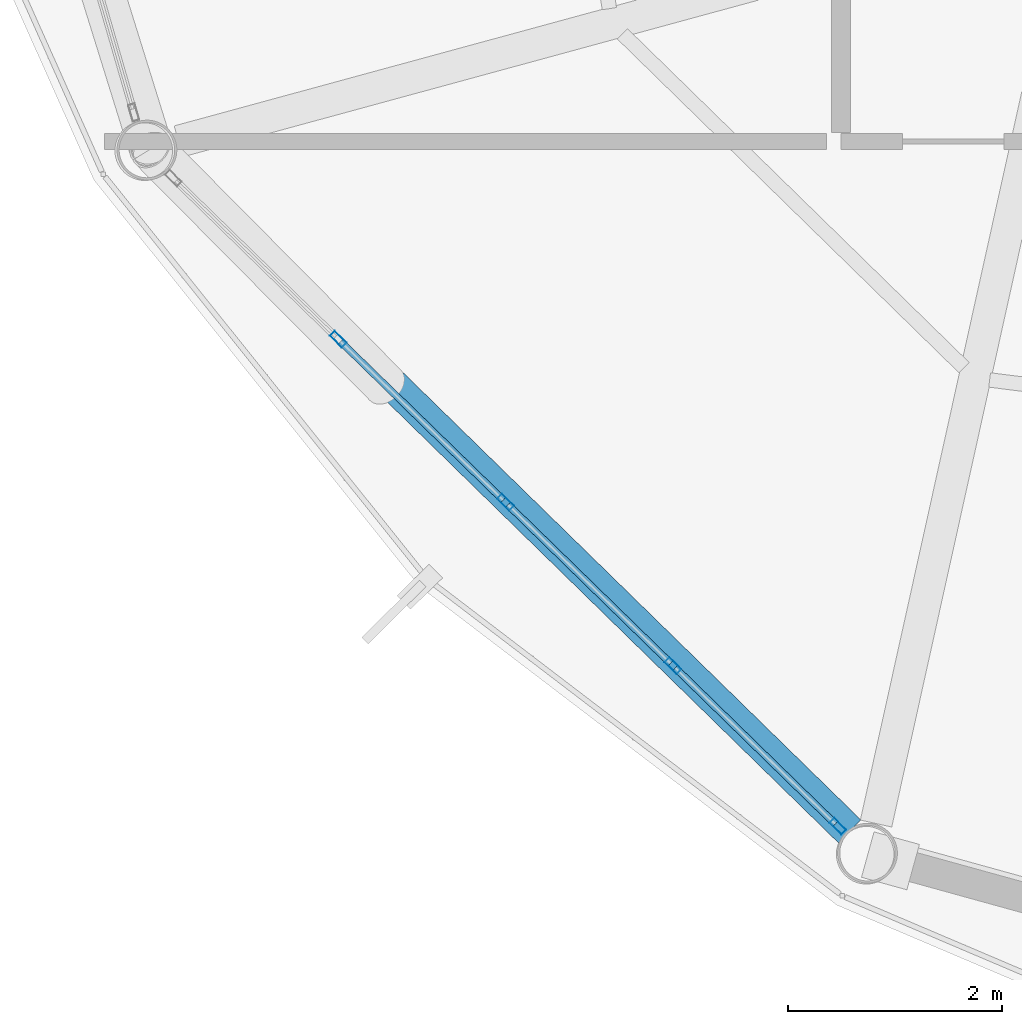
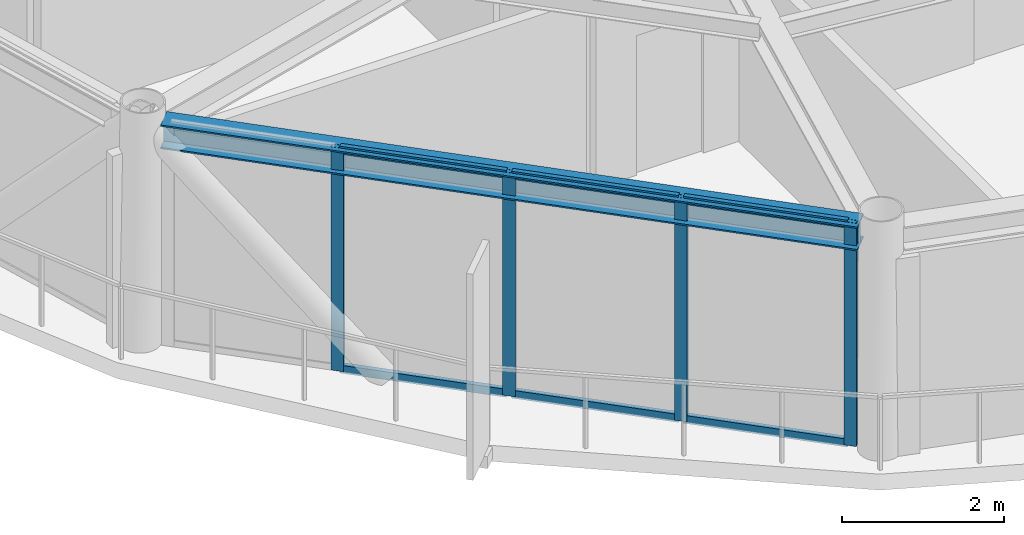
# One storey, part 2 of 27: 10 members, 1 beam, 1 element without a shape of its own.
"""IFC4 building model written with IfcOpenShell, lengths in metres."""

from ifc_helpers import new_model, si_unit, direction, frame, origin, origin_2d, place, context, subcontext, project, spatial, hollow_rectangle, i_section, extrude, material, layer, layer_set, material_profile, profile_set, type_object, element, aggregate, save


model = new_model("IFC4")

# Units and contexts
model_context = context("Model", 3, precision=1e-05, world=origin(), true_north=direction((0.0, 1.0)))
body_context = subcontext(model_context, "Body", "Model", "MODEL_VIEW")
ifc_project = project(units=[si_unit("LENGTHUNIT", "METRE"), si_unit("AREAUNIT", "SQUARE_METRE"), si_unit("VOLUMEUNIT", "CUBIC_METRE"), si_unit("PLANEANGLEUNIT", "RADIAN"), si_unit("MASSUNIT", "GRAM", prefix="KILO")], contexts=[model_context])

# Site, building, storey
site_placement = place(None, origin())
site = spatial("IfcSite", under=ifc_project, at=site_placement, CompositionType="ELEMENT")
building_placement = place(site_placement, origin())
building = spatial("IfcBuilding", under=site, at=building_placement, Name="Varnakorn Sky Granary", CompositionType="ELEMENT")
storey_placement = place(building_placement, frame((0.0, 0.0, 245.39990234375)))
storey = spatial("IfcBuildingStorey", under=building, at=storey_placement, Name="L62", CompositionType="ELEMENT", Elevation=245.39990234375)

# Beam
ifc_material_1 = material(Name="Steel S355JR", Category="steel")
ifc_material_profile_1 = material_profile(ifc_material_1, i_section(OverallWidth=0.300048828125, OverallDepth=0.360107421875, WebThickness=0.012451171875, FlangeThickness=0.0224609375, at=origin_2d()), Name="HE 360 B")
ifc_profile_set_1 = profile_set([ifc_material_profile_1], Name="Steel S355JR")
beam_type = type_object("IfcBeamType", Name="BM-SPD-Z5", PredefinedType="SPANDREL", material=ifc_profile_set_1)
beam_placement = place(storey_placement, frame((-10.861083984375, -9.15380859375, 3.18017578125), z_axis=(0.715264777824, -0.698853559485, 0.0), x_axis=(0.698853559485, 0.715264777824, 0.0)))
element("IfcBeam", 1, at=beam_placement, inside=storey, type_object=beam_type, Name="Perimeter Spandrel Ring Beam RB08 L62", PredefinedType="SPANDREL", context=body_context, shape_type="SweptSolid", body=[
    extrude(i_section(OverallWidth=0.300048828125, OverallDepth=0.360107421875, WebThickness=0.012451171875, FlangeThickness=0.0224609375, at=origin_2d()), origin(), (0.0, 0.0, 1.0), 8.866455078125),
])

# Curtain wall, members
ifc_material_2 = material(Name="Anodised Bronze Aluminium Alloy 6063-T6", Category="aluminium")
ifc_layer = layer(ifc_material_2, 0.159912109375, Name="Anodised Bronze Aluminium Alloy 6063-T6")
ifc_layer_set = layer_set([ifc_layer], Name="Anodised Bronze Aluminium Alloy 6063-T6")
curtain_wall_type = type_object("IfcCurtainWallType", Name="CW-OFF-1", PredefinedType="USERDEFINED", material=ifc_layer_set)
curtain_wall_placement = place(storey_placement, origin())
curtain_wall = element("IfcCurtainWall", 2, at=curtain_wall_placement, inside=storey, type_object=curtain_wall_type, Name="Unitised Curtain Wall CW6 CW-L62-B08", ObjectType="CURTAIN WALL", PredefinedType="USERDEFINED")
ifc_material_profile_2 = material_profile(ifc_material_2, hollow_rectangle(XDim=0.06494140625, YDim=0.159912109375, WallThickness=0.00341796875, at=origin_2d()), Name="ALU MULL 65x160")
ifc_profile_set_2 = profile_set([ifc_material_profile_2], Name="Anodised Bronze Aluminium Alloy 6063-T6")
member_type_1 = type_object("IfcMemberType", Name="CW-OFF-1-MULL", PredefinedType="MULLION", material=ifc_profile_set_2)
member_1_placement = place(storey_placement, frame((-4.63037109375, -15.3037109375, 0.0), z_axis=(0.0, 0.0, 1.0), x_axis=(-0.698180615076, -0.715921663823, 0.0)))
member_1 = element("IfcMember", 3, at=member_1_placement, type_object=member_type_1, Name="CW6 mullion 1", PredefinedType="MULLION", context=body_context, shape_type="SweptSolid", body=[
    extrude(hollow_rectangle(XDim=0.06494140625, YDim=0.159912109375, WallThickness=0.00341796875, at=origin_2d()), origin(), (0.0, 0.0, 1.0), 3.360107421875),
])
member_2_placement = place(storey_placement, frame((-6.171875, -13.80029296875, 0.0), z_axis=(0.0, 0.0, 1.0), x_axis=(-0.698180615076, -0.715921663823, 0.0)))
member_2 = element("IfcMember", 4, at=member_2_placement, type_object=member_type_1, Name="CW6 mullion 2", PredefinedType="MULLION", context=body_context, shape_type="SweptSolid", body=[
    extrude(hollow_rectangle(XDim=0.06494140625, YDim=0.159912109375, WallThickness=0.00341796875, at=origin_2d()), origin(), (0.0, 0.0, 1.0), 3.360107421875),
])
member_3_placement = place(storey_placement, frame((-7.736572265625, -12.2744140625, 0.0), z_axis=(0.0, 0.0, 1.0), x_axis=(-0.698180615076, -0.715921663823, 0.0)))
member_3 = element("IfcMember", 5, at=member_3_placement, type_object=member_type_1, Name="CW6 mullion 3", PredefinedType="MULLION", context=body_context, shape_type="SweptSolid", body=[
    extrude(hollow_rectangle(XDim=0.06494140625, YDim=0.159912109375, WallThickness=0.00341796875, at=origin_2d()), origin(), (0.0, 0.0, 1.0), 3.360107421875),
])
member_4_placement = place(storey_placement, frame((-9.30126953125, -10.74853515625, 0.0), z_axis=(0.0, 0.0, 1.0), x_axis=(-0.698180615076, -0.715921663823, 0.0)))
member_4 = element("IfcMember", 6, at=member_4_placement, type_object=member_type_1, Name="CW6 mullion 4", PredefinedType="MULLION", context=body_context, shape_type="SweptSolid", body=[
    extrude(hollow_rectangle(XDim=0.06494140625, YDim=0.159912109375, WallThickness=0.00341796875, at=origin_2d()), origin(), (0.0, 0.0, 1.0), 3.360107421875),
])
ifc_material_profile_3 = material_profile(ifc_material_2, hollow_rectangle(XDim=0.06494140625, YDim=0.1201171875, WallThickness=0.00341796875, at=origin_2d()), Name="ALU TRAN 65x120")
ifc_profile_set_3 = profile_set([ifc_material_profile_3], Name="Anodised Bronze Aluminium Alloy 6063-T6")
member_type_2 = type_object("IfcMemberType", Name="CW-OFF-1-TRAN", PredefinedType="USERDEFINED", material=ifc_profile_set_3)
member_5_placement = place(storey_placement, frame((-4.653564453125, -15.281005859375, 0.03271484375), z_axis=(-0.715878866962, 0.698224496733, 0.0), x_axis=(-0.698224496733, -0.715878866962, 0.0)))
member_5 = element("IfcMember", 7, at=member_5_placement, type_object=member_type_2, Name="CW6 transom 1.1", ObjectType="TRANSOM", PredefinedType="USERDEFINED", context=body_context, shape_type="SweptSolid", body=[
    extrude(hollow_rectangle(XDim=0.06494140625, YDim=0.1201171875, WallThickness=0.00341796875, at=origin_2d()), origin(), (0.0, 0.0, 1.0), 2.088134765625),
])
member_6_placement = place(storey_placement, frame((-4.653564453125, -15.281005859375, 3.32763671875), z_axis=(-0.715878866962, 0.698224496733, 0.0), x_axis=(-0.698224496733, -0.715878866962, 0.0)))
member_6 = element("IfcMember", 8, at=member_6_placement, type_object=member_type_2, Name="CW6 transom 1.2", ObjectType="TRANSOM", PredefinedType="USERDEFINED", context=body_context, shape_type="SweptSolid", body=[
    extrude(hollow_rectangle(XDim=0.06494140625, YDim=0.1201171875, WallThickness=0.00341796875, at=origin_2d()), origin(), (0.0, 0.0, 1.0), 2.088134765625),
])
member_7_placement = place(storey_placement, frame((-6.195068359375, -13.777587890625, 0.03271484375), z_axis=(-0.715972805246, 0.698128170287, 0.0), x_axis=(-0.698128170287, -0.715972805246, 0.0)))
member_7 = element("IfcMember", 9, at=member_7_placement, type_object=member_type_2, Name="CW6 transom 2.1", ObjectType="TRANSOM", PredefinedType="USERDEFINED", context=body_context, shape_type="SweptSolid", body=[
    extrude(hollow_rectangle(XDim=0.06494140625, YDim=0.1201171875, WallThickness=0.00341796875, at=origin_2d()), origin(), (0.0, 0.0, 1.0), 2.12060546875),
])
member_8_placement = place(storey_placement, frame((-6.195068359375, -13.777587890625, 3.32763671875), z_axis=(-0.715972805246, 0.698128170287, 0.0), x_axis=(-0.698128170287, -0.715972805246, 0.0)))
member_8 = element("IfcMember", 10, at=member_8_placement, type_object=member_type_2, Name="CW6 transom 2.2", ObjectType="TRANSOM", PredefinedType="USERDEFINED", context=body_context, shape_type="SweptSolid", body=[
    extrude(hollow_rectangle(XDim=0.06494140625, YDim=0.1201171875, WallThickness=0.00341796875, at=origin_2d()), origin(), (0.0, 0.0, 1.0), 2.12060546875),
])
member_9_placement = place(storey_placement, frame((-7.759765625, -12.251708984375, 0.03271484375), z_axis=(-0.715972805246, 0.698128170287, 0.0), x_axis=(-0.698128170287, -0.715972805246, 0.0)))
member_9 = element("IfcMember", 11, at=member_9_placement, type_object=member_type_2, Name="CW6 transom 3.1", ObjectType="TRANSOM", PredefinedType="USERDEFINED", context=body_context, shape_type="SweptSolid", body=[
    extrude(hollow_rectangle(XDim=0.06494140625, YDim=0.1201171875, WallThickness=0.00341796875, at=origin_2d()), origin(), (0.0, 0.0, 1.0), 2.12060546875),
])
member_10_placement = place(storey_placement, frame((-7.759765625, -12.251708984375, 3.32763671875), z_axis=(-0.715972805246, 0.698128170287, 0.0), x_axis=(-0.698128170287, -0.715972805246, 0.0)))
member_10 = element("IfcMember", 12, at=member_10_placement, type_object=member_type_2, Name="CW6 transom 3.2", ObjectType="TRANSOM", PredefinedType="USERDEFINED", context=body_context, shape_type="SweptSolid", body=[
    extrude(hollow_rectangle(XDim=0.06494140625, YDim=0.1201171875, WallThickness=0.00341796875, at=origin_2d()), origin(), (0.0, 0.0, 1.0), 2.12060546875),
])
aggregate(curtain_wall, [member_1, member_2, member_3, member_4, member_5, member_6, member_7, member_8, member_9, member_10])

save(model, "model.ifc")
